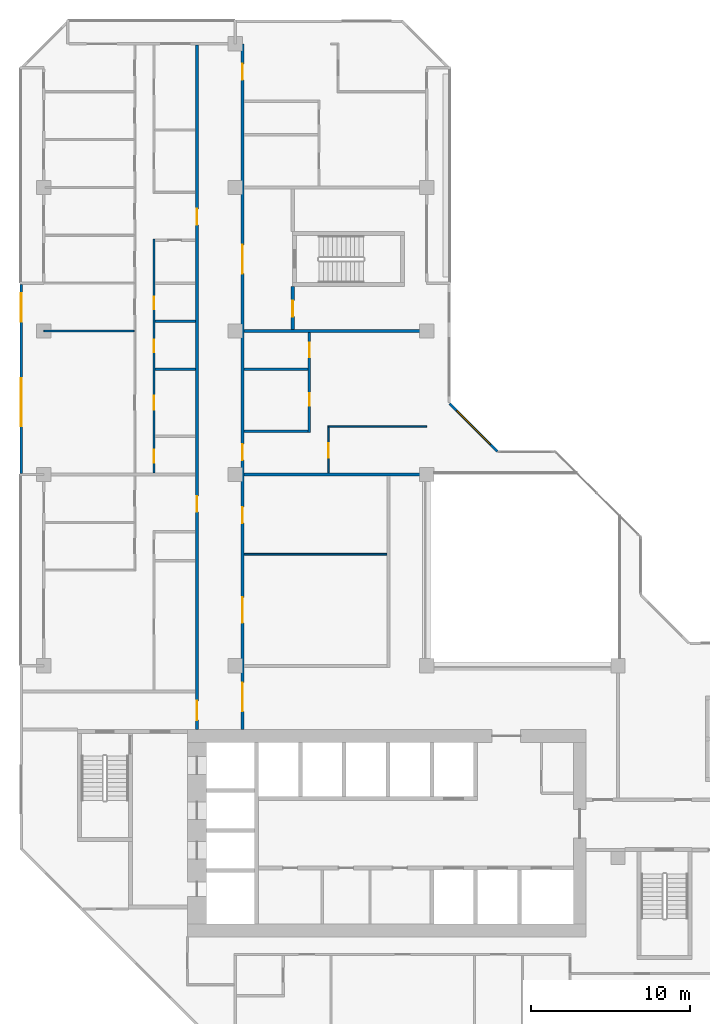
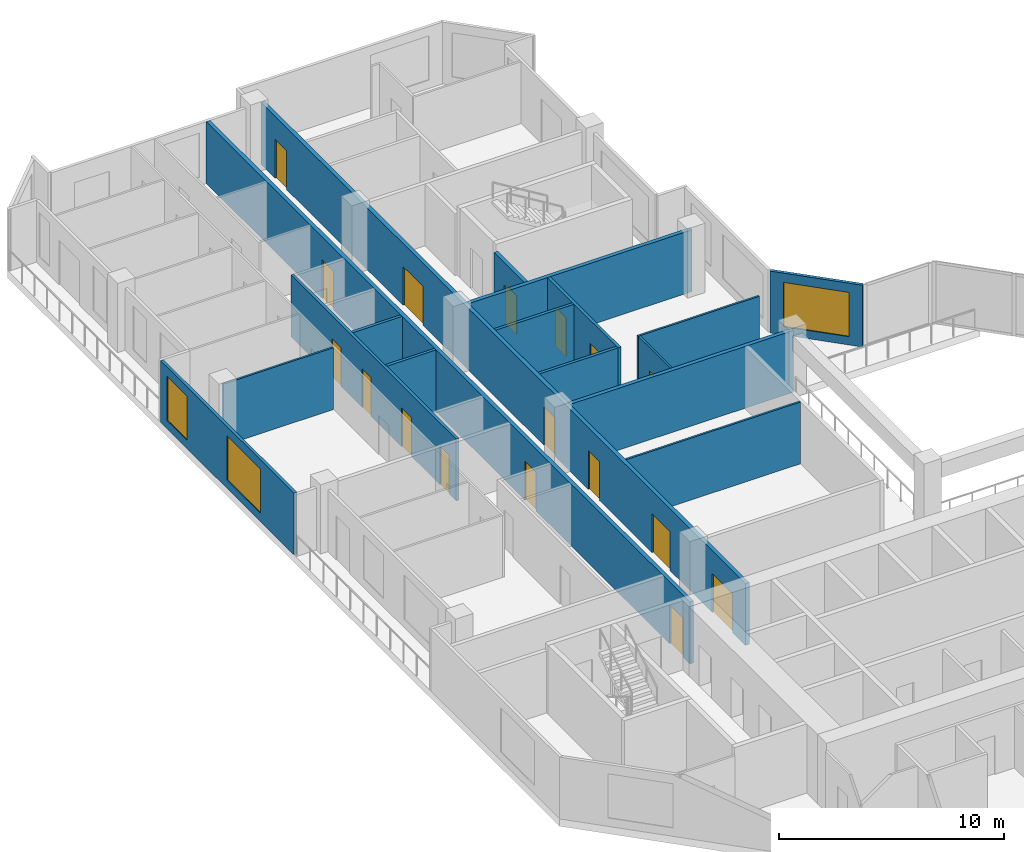
# One storey, part 9 of 15: 17 doors, 17 walls, 3 windows, 20 openings.
"""IFC4 building model written with IfcOpenShell, lengths in metres."""

import ifcopenshell
import ifcopenshell.guid

model = None  # the IFC model being written
_history = None  # IfcOwnerHistory: only IFC2X3 demands one
_inside = {}  # id of a spatial element -> (the spatial element, [elements in it])
_under = {}  # id of a project, library or spatial element -> (it, [spatial elements below it])
_declared = {}  # id of a project -> (the project, [libraries it declares])
_typed = {}  # id of a type object -> (the type object, [elements of that type])
_made_of = {}  # id of a material, layer set ... -> (it, [elements and type objects made of it])


def new_model(schema):
    """Start an empty IFC model of exactly this schema.

    Asked for "IFC4X3", IfcOpenShell would pick the latest addendum, in which some entities
    have other attributes; the version numbers below select the first issue.
    IFC2X3 requires an IfcOwnerHistory on every rooted entity: one is made here for all.
    """
    global model, _history
    if schema == "IFC4X3":
        model = ifcopenshell.file(schema_version=(4, 3, 0, 0))
    else:
        model = ifcopenshell.file(schema=schema)
    _inside.clear()
    _under.clear()
    _declared.clear()
    _typed.clear()
    _made_of.clear()
    _history = None
    if model.schema == "IFC2X3":
        org = make("IfcOrganization", Name="unknown")
        user = make(
            "IfcPersonAndOrganization",
            ThePerson=make("IfcPerson", FamilyName="unknown"),
            TheOrganization=org,
        )
        app = make(
            "IfcApplication",
            ApplicationDeveloper=org,
            Version="unknown",
            ApplicationFullName="unknown",
            ApplicationIdentifier="unknown",
        )
        _history = make(
            "IfcOwnerHistory",
            OwningUser=user,
            OwningApplication=app,
            ChangeAction="ADDED",
            CreationDate=0,
        )
    return model


def make(cls, **values):
    """One entity of the class cls with the attributes given. An attribute that is None is left unset."""
    return model.create_entity(
        cls, **{name: value for name, value in values.items() if value is not None}
    )


def rooted(cls, **values):
    """An entity with a GlobalId (a new one), such as an element, a storey or a relation."""
    return make(cls, GlobalId=ifcopenshell.guid.new(), OwnerHistory=_history, **values)


def si_unit(unit_type, name, prefix=None):
    """IfcSIUnit, for example si_unit("LENGTHUNIT", "METRE", prefix="MILLI")."""
    return make("IfcSIUnit", UnitType=unit_type, Prefix=prefix, Name=name)


def assignment(units):
    """IfcUnitAssignment: the units of a project."""
    return None if units is None else make("IfcUnitAssignment", Units=units)


def point(xyz):
    """IfcCartesianPoint."""
    return None if xyz is None else make("IfcCartesianPoint", Coordinates=xyz)


def direction(xyz):
    """IfcDirection."""
    return None if xyz is None else make("IfcDirection", DirectionRatios=xyz)


def frame(location, z_axis=None, x_axis=None):
    """IfcAxis2Placement3D, a coordinate frame: its origin and axes. An axis left out is left unset."""
    return make(
        "IfcAxis2Placement3D",
        Location=point(location),
        Axis=direction(z_axis),
        RefDirection=direction(x_axis),
    )


def frame_2d(location, x_axis=None):
    """IfcAxis2Placement2D, a coordinate frame in the plane: its origin and x axis."""
    return make(
        "IfcAxis2Placement2D", Location=point(location), RefDirection=direction(x_axis)
    )


def origin():
    """The frame at (0, 0, 0) with its axes left unset."""
    return frame((0.0, 0.0, 0.0))


def place(relative_to, where):
    """IfcLocalPlacement: puts the frame where relative to a parent placement (None: the world)."""
    return make(
        "IfcLocalPlacement", PlacementRelTo=relative_to, RelativePlacement=where
    )


def context(
    kind, dimensions, precision=None, world=None, true_north=None, identifier=None
):
    """IfcGeometricRepresentationContext, for example the 3D "Model" context."""
    return make(
        "IfcGeometricRepresentationContext",
        ContextIdentifier=identifier,
        ContextType=kind,
        CoordinateSpaceDimension=dimensions,
        Precision=precision,
        WorldCoordinateSystem=world,
        TrueNorth=true_north,
    )


def subcontext(parent, identifier, kind, view, scale=None):
    """IfcGeometricRepresentationSubContext, for example "Body" below "Model"."""
    return make(
        "IfcGeometricRepresentationSubContext",
        ContextIdentifier=identifier,
        ContextType=kind,
        ParentContext=parent,
        TargetScale=scale,
        TargetView=view,
    )


def project(units=None, contexts=None):
    """IfcProject with its units and contexts."""
    return rooted(
        "IfcProject",
        Name="project",
        RepresentationContexts=contexts,
        UnitsInContext=assignment(units),
    )


def spatial(cls, under=None, at=None, **own):
    """A site, building, storey or space (cls), placed at a placement, below another one or the project."""
    s = rooted(cls, ObjectPlacement=at, **own)
    if under is not None:
        _under.setdefault(under.id(), (under, []))[1].append(s)
    return s


def profile(cls, at=None, kind="AREA", **sizes):
    """A parametric profile (cls). Its sizes go by their IFC names, for example OverallWidth=200.0."""
    return make(cls, ProfileType=kind, Position=at, **sizes)


def rectangle(**sizes):
    """IfcRectangleProfileDef."""
    return profile("IfcRectangleProfileDef", **sizes)


def extrude(swept, where, along, depth):
    """IfcExtrudedAreaSolid: the profile swept, set in the frame where, extruded along a direction by depth."""
    return make(
        "IfcExtrudedAreaSolid",
        SweptArea=swept,
        Position=where,
        ExtrudedDirection=direction(along),
        Depth=depth,
    )


def shape(context_of_items, identifier, shape_type, items):
    """IfcShapeRepresentation: the items that make up one representation, for example the "Body"."""
    return make(
        "IfcShapeRepresentation",
        ContextOfItems=context_of_items,
        RepresentationIdentifier=identifier,
        RepresentationType=shape_type,
        Items=items,
    )


def material(Name=None, Category=None):
    """IfcMaterial."""
    return make("IfcMaterial", Name=Name, Category=Category)


def layer(
    of_material, thickness, ventilated=None, Name=None, Category=None, Priority=None
):
    """IfcMaterialLayer: one layer of a wall or slab, of a material (None: an air gap)."""
    return make(
        "IfcMaterialLayer",
        Material=of_material,
        LayerThickness=thickness,
        IsVentilated=ventilated,
        Name=Name,
        Category=Category,
        Priority=Priority,
    )


def layer_set(layers, Name=None):
    """IfcMaterialLayerSet."""
    return make("IfcMaterialLayerSet", MaterialLayers=layers, LayerSetName=Name)


def made_of(thing, what):
    """Note that an element or type object is made of a material, layer set ...; save() writes the relation."""
    if what is not None:
        _made_of.setdefault(what.id(), (what, []))[1].append(thing)
    return thing


def type_object(cls, material=None, **own):
    """A type object (cls), such as IfcWallType, which elements share."""
    return made_of(rooted(cls, **own), material)


def element(
    cls,
    number,
    at=None,
    inside=None,
    cuts=None,
    type_object=None,
    material=None,
    context=None,
    identifier="Body",
    shape_type=None,
    held_by="IfcProductDefinitionShape",
    body=None,
    shapes=None,
    **own,
):
    """One element of the class cls, such as IfcWall. Its Tag is "e" and its number.

    at: its placement. inside: the storey or other place that contains it. cuts: it is an
    opening in that element (IfcRelVoidsElement). A single representation is given by context,
    identifier, shape_type and body (its items); several are given by shapes. held_by: the class
    of the entity that holds the representations. save() writes the other relations.
    """
    e = rooted(cls, Tag="e%d" % number, ObjectPlacement=at, **own)
    if body is not None:
        shapes = [shape(context, identifier, shape_type, body)]
    if shapes is not None:
        e.Representation = make(held_by, Representations=shapes)
    if inside is not None:
        _inside.setdefault(inside.id(), (inside, []))[1].append(e)
    if cuts is not None:
        rooted(
            "IfcRelVoidsElement", RelatingBuildingElement=cuts, RelatedOpeningElement=e
        )
    if type_object is not None:
        _typed.setdefault(type_object.id(), (type_object, []))[1].append(e)
    return made_of(e, material)


def fill(opening, filler):
    """IfcRelFillsElement: the door or window that sits in an opening."""
    return rooted(
        "IfcRelFillsElement",
        RelatingOpeningElement=opening,
        RelatedBuildingElement=filler,
    )


def aggregate(whole, parts):
    """IfcRelAggregates: a whole, such as a stair, and the parts it consists of."""
    return rooted("IfcRelAggregates", RelatingObject=whole, RelatedObjects=parts)


def save(model, path):
    """Write the relations noted so far, then the file.

    IfcRelAggregates (storeys below a building ...), IfcRelContainedInSpatialStructure (elements
    in a storey), IfcRelDefinesByType, IfcRelAssociatesMaterial and IfcRelDeclares: one each for
    every whole, place, type object, material and project.
    """
    for whole, parts in _under.values():
        aggregate(whole, parts)
    for where, things in _inside.values():
        rooted(
            "IfcRelContainedInSpatialStructure",
            RelatedElements=things,
            RelatingStructure=where,
        )
    for kind, things in _typed.values():
        rooted("IfcRelDefinesByType", RelatedObjects=things, RelatingType=kind)
    for what, things in _made_of.values():
        rooted("IfcRelAssociatesMaterial", RelatedObjects=things, RelatingMaterial=what)
    for by, libraries in _declared.values():
        rooted("IfcRelDeclares", RelatingContext=by, RelatedDefinitions=libraries)
    model.write(path)


model = new_model("IFC4")

# Units and contexts
model_context = context("Model", 3, precision=1e-05, world=origin(), true_north=direction((0.0, 1.0)))
body_context = subcontext(model_context, "Body", "Model", "MODEL_VIEW")
ifc_project = project(units=[si_unit("LENGTHUNIT", "METRE"), si_unit("AREAUNIT", "SQUARE_METRE"), si_unit("VOLUMEUNIT", "CUBIC_METRE"), si_unit("PLANEANGLEUNIT", "RADIAN"), si_unit("MASSUNIT", "GRAM", prefix="KILO")], contexts=[model_context])

# Site, building, storey
site_placement = place(None, origin())
site = spatial("IfcSite", under=ifc_project, at=site_placement, CompositionType="ELEMENT")
building_placement = place(site_placement, origin())
building = spatial("IfcBuilding", under=site, at=building_placement, Name="Chenar Terraces", CompositionType="ELEMENT")
storey_placement = place(building_placement, frame((0.0, 0.0, 191.14990234375)))
storey = spatial("IfcBuildingStorey", under=building, at=storey_placement, Name="L44", CompositionType="ELEMENT", Elevation=191.14990234375)

# Wall, openings, doors
ifc_material_1 = material(Name="Gypsum board on steel studs with fire boards", Category="steel")
ifc_layer_1 = layer(ifc_material_1, 0.199951171875)
ifc_layer_set_1 = layer_set([ifc_layer_1], Name="Gypsum board on steel studs with fire boards")
wall_type_1 = type_object("IfcWallType", Name="Corridor wall 200", PredefinedType="PARTITIONING", material=ifc_layer_set_1)
wall_1_placement = place(storey_placement, frame((9.60009765625, 20.0, 0.0), z_axis=(0.0, 0.0, 1.0), x_axis=(0.0, 1.0, 0.0)))
wall_1 = element("IfcWall", 1, at=wall_1_placement, inside=storey, type_object=wall_type_1, Name="Partition L44-029", PredefinedType="PARTITIONING", context=body_context, shape_type="SweptSolid", body=[
    extrude(rectangle(XDim=42.926025390625, YDim=0.199951171875, at=frame_2d((21.462890625, 0.0))), origin(), (0.0, 0.0, 1.0), 3.35009765625),
])
opening_1_placement = place(wall_1_placement, frame((31.64990234375, 0.0, 0.0)))
opening_1 = element("IfcOpeningElement", 2, at=opening_1_placement, cuts=wall_1, Name="Opening DL44-30", PredefinedType="OPENING", context=body_context, shape_type="SweptSolid", body=[
    extrude(rectangle(XDim=1.0, YDim=2.10009765625, at=frame_2d((0.5, 1.050048828125))), frame((0.0, 0.10986328125, 0.0), z_axis=(0.0, -1.0, 0.0), x_axis=(1.0, 0.0, 0.0)), (0.0, 0.0, 1.0), 0.219970703125),
])
opening_2_placement = place(wall_1_placement, frame((0.60009765625, 0.0, 0.0)))
opening_2 = element("IfcOpeningElement", 3, at=opening_2_placement, cuts=wall_1, Name="Opening DL44-40", PredefinedType="OPENING", context=body_context, shape_type="SweptSolid", body=[
    extrude(rectangle(XDim=1.199951171875, YDim=2.10009765625, at=frame_2d((0.60009765625, 1.050048828125))), frame((0.0, 0.10986328125, 0.0), z_axis=(0.0, -1.0, 0.0), x_axis=(1.0, 0.0, 0.0)), (0.0, 0.0, 1.0), 0.219970703125),
])
opening_3_placement = place(wall_1_placement, frame((13.64990234375, 0.0, 0.0)))
opening_3 = element("IfcOpeningElement", 4, at=opening_3_placement, cuts=wall_1, Name="Opening DL44-61", PredefinedType="OPENING", context=body_context, shape_type="SweptSolid", body=[
    extrude(rectangle(XDim=1.0, YDim=2.10009765625, at=frame_2d((0.5, 1.050048828125))), frame((0.0, 0.10986328125, 0.0), z_axis=(0.0, -1.0, 0.0), x_axis=(1.0, 0.0, 0.0)), (0.0, 0.0, 1.0), 0.219970703125),
])
ifc_material_2 = material(Name="Steel-framed fire-resisting door leaf", Category="steel")
door_type_1 = type_object("IfcDoorType", Name="Fire door FD30S 1000 x 2100", OperationType="SINGLE_SWING_LEFT", PredefinedType="DOOR", material=ifc_material_2)
door_1_placement = place(opening_1_placement, origin())
door_1 = element("IfcDoor", 5, at=door_1_placement, inside=storey, type_object=door_type_1, Name="Door DL44-30", OperationType="SINGLE_SWING_LEFT", OverallHeight=2.10009765625, OverallWidth=1.0, PredefinedType="DOOR", context=body_context, shape_type="SweptSolid", body=[
    extrude(rectangle(XDim=1.0, YDim=2.10009765625, at=frame_2d((0.5, 1.050048828125))), frame((0.0, 0.02490234375, 0.0), z_axis=(0.0, -1.0, 0.0), x_axis=(1.0, 0.0, 0.0)), (0.0, 0.0, 1.0), 0.050048828125),
])
fill(opening_1, door_1)
door_2_placement = place(opening_3_placement, origin())
door_2 = element("IfcDoor", 6, at=door_2_placement, inside=storey, type_object=door_type_1, Name="Door DL44-61", OperationType="SINGLE_SWING_LEFT", OverallHeight=2.10009765625, OverallWidth=1.0, PredefinedType="DOOR", context=body_context, shape_type="SweptSolid", body=[
    extrude(rectangle(XDim=1.0, YDim=2.10009765625, at=frame_2d((0.5, 1.050048828125))), frame((0.0, 0.02490234375, 0.0), z_axis=(0.0, -1.0, 0.0), x_axis=(1.0, 0.0, 0.0)), (0.0, 0.0, 1.0), 0.050048828125),
])
fill(opening_3, door_2)
ifc_material_3 = material(Name="Steel-framed fire-resisting door leaf", Category="steel")
door_type_2 = type_object("IfcDoorType", Name="Fire door FD30S 1200 x 2100", OperationType="SINGLE_SWING_LEFT", PredefinedType="DOOR", material=ifc_material_3)
door_3_placement = place(opening_2_placement, origin())
door_3 = element("IfcDoor", 7, at=door_3_placement, inside=storey, type_object=door_type_2, Name="Door DL44-40", OperationType="SINGLE_SWING_RIGHT", OverallHeight=2.10009765625, OverallWidth=1.199951171875, PredefinedType="DOOR", context=body_context, shape_type="SweptSolid", body=[
    extrude(rectangle(XDim=1.199951171875, YDim=2.10009765625, at=frame_2d((0.60009765625, 1.050048828125))), frame((0.0, 0.02490234375, 0.0), z_axis=(0.0, -1.0, 0.0), x_axis=(1.0, 0.0, 0.0)), (0.0, 0.0, 1.0), 0.050048828125),
])
fill(opening_2, door_3)

wall_2_placement = place(storey_placement, frame((12.449951171875, 20.0, 0.0), z_axis=(0.0, 0.0, 1.0), x_axis=(0.0, 1.0, 0.0)))
wall_2 = element("IfcWall", 8, at=wall_2_placement, inside=storey, type_object=wall_type_1, Name="Partition L44-033", PredefinedType="PARTITIONING", context=body_context, shape_type="SweptSolid", body=[
    extrude(rectangle(XDim=43.0, YDim=0.199951171875, at=frame_2d((21.5, 0.0))), origin(), (0.0, 0.0, 1.0), 3.35009765625),
])
opening_4_placement = place(wall_2_placement, frame((6.699951171875, 0.0, 0.0)))
opening_4 = element("IfcOpeningElement", 9, at=opening_4_placement, cuts=wall_2, Name="Opening DL44-1", PredefinedType="OPENING", context=body_context, shape_type="SweptSolid", body=[
    extrude(rectangle(XDim=1.60009765625, YDim=2.10009765625, at=frame_2d((0.800048828125, 1.050048828125))), frame((0.0, 0.10986328125, 0.0), z_axis=(0.0, -1.0, 0.0), x_axis=(1.0, 0.0, 0.0)), (0.0, 0.0, 1.0), 0.219970703125),
])
opening_5_placement = place(wall_2_placement, frame((12.949951171875, 0.0, 0.0)))
opening_5 = element("IfcOpeningElement", 10, at=opening_5_placement, cuts=wall_2, Name="Opening DL44-2", PredefinedType="OPENING", context=body_context, shape_type="SweptSolid", body=[
    extrude(rectangle(XDim=1.0, YDim=2.10009765625, at=frame_2d((0.5, 1.050048828125))), frame((0.0, 0.10986328125, 0.0), z_axis=(0.0, -1.0, 0.0), x_axis=(1.0, 0.0, 0.0)), (0.0, 0.0, 1.0), 0.219970703125),
])
opening_6_placement = place(wall_2_placement, frame((16.89990234375, 0.0, 0.0)))
opening_6 = element("IfcOpeningElement", 11, at=opening_6_placement, cuts=wall_2, Name="Opening DL44-18", PredefinedType="OPENING", context=body_context, shape_type="SweptSolid", body=[
    extrude(rectangle(XDim=1.0, YDim=2.10009765625, at=frame_2d((0.5, 1.050048828125))), frame((0.0, 0.10986328125, 0.0), z_axis=(0.0, -1.0, 0.0), x_axis=(1.0, 0.0, 0.0)), (0.0, 0.0, 1.0), 0.219970703125),
])
opening_7_placement = place(wall_2_placement, frame((40.75, 0.0, 0.0)))
opening_7 = element("IfcOpeningElement", 12, at=opening_7_placement, cuts=wall_2, Name="Opening DL44-22", PredefinedType="OPENING", context=body_context, shape_type="SweptSolid", body=[
    extrude(rectangle(XDim=1.0, YDim=2.10009765625, at=frame_2d((0.5, 1.050048828125))), frame((0.0, 0.10986328125, 0.0), z_axis=(0.0, -1.0, 0.0), x_axis=(1.0, 0.0, 0.0)), (0.0, 0.0, 1.0), 0.219970703125),
])
opening_8_placement = place(wall_2_placement, frame((1.14990234375, 0.0, 0.0)))
opening_8 = element("IfcOpeningElement", 13, at=opening_8_placement, cuts=wall_2, Name="Opening DL44-39", PredefinedType="OPENING", context=body_context, shape_type="SweptSolid", body=[
    extrude(rectangle(XDim=1.800048828125, YDim=2.10009765625, at=frame_2d((0.89990234375, 1.050048828125))), frame((0.0, 0.10986328125, 0.0), z_axis=(0.0, -1.0, 0.0), x_axis=(1.0, 0.0, 0.0)), (0.0, 0.0, 1.0), 0.219970703125),
])
opening_9_placement = place(wall_2_placement, frame((28.60009765625, 0.0, 0.0)))
opening_9 = element("IfcOpeningElement", 14, at=opening_9_placement, cuts=wall_2, Name="Opening DL44-41", PredefinedType="OPENING", context=body_context, shape_type="SweptSolid", body=[
    extrude(rectangle(XDim=1.800048828125, YDim=2.10009765625, at=frame_2d((0.89990234375, 1.050048828125))), frame((0.0, 0.10986328125, 0.0), z_axis=(0.0, -1.0, 0.0), x_axis=(1.0, 0.0, 0.0)), (0.0, 0.0, 1.0), 0.219970703125),
])
ifc_material_4 = material(Name="Steel-framed fire-resisting door leaf", Category="steel")
door_type_3 = type_object("IfcDoorType", Name="Fire door FD60 1000 x 2100", OperationType="SINGLE_SWING_LEFT", PredefinedType="DOOR", material=ifc_material_4)
door_4_placement = place(opening_5_placement, frame((1.0, 0.0, 0.0), z_axis=(0.0, 0.0, 1.0), x_axis=(-1.0, 0.0, 0.0)))
door_4 = element("IfcDoor", 15, at=door_4_placement, inside=storey, type_object=door_type_3, Name="Door DL44-2", OperationType="SINGLE_SWING_LEFT", OverallHeight=2.10009765625, OverallWidth=1.0, PredefinedType="DOOR", context=body_context, shape_type="SweptSolid", body=[
    extrude(rectangle(XDim=1.0, YDim=2.10009765625, at=frame_2d((0.5, 1.050048828125))), frame((0.0, 0.02490234375, 0.0), z_axis=(0.0, -1.0, 0.0), x_axis=(1.0, 0.0, 0.0)), (0.0, 0.0, 1.0), 0.050048828125),
])
fill(opening_5, door_4)
door_5_placement = place(opening_6_placement, frame((1.0, 0.0, 0.0), z_axis=(0.0, 0.0, 1.0), x_axis=(-1.0, 0.0, 0.0)))
door_5 = element("IfcDoor", 16, at=door_5_placement, inside=storey, type_object=door_type_3, Name="Door DL44-18", OperationType="SINGLE_SWING_LEFT", OverallHeight=2.10009765625, OverallWidth=1.0, PredefinedType="DOOR", context=body_context, shape_type="SweptSolid", body=[
    extrude(rectangle(XDim=1.0, YDim=2.10009765625, at=frame_2d((0.5, 1.050048828125))), frame((0.0, 0.02490234375, 0.0), z_axis=(0.0, -1.0, 0.0), x_axis=(1.0, 0.0, 0.0)), (0.0, 0.0, 1.0), 0.050048828125),
])
fill(opening_6, door_5)
door_6_placement = place(opening_7_placement, frame((1.0, 0.0, 0.0), z_axis=(0.0, 0.0, 1.0), x_axis=(-1.0, 0.0, 0.0)))
door_6 = element("IfcDoor", 17, at=door_6_placement, inside=storey, type_object=door_type_3, Name="Door DL44-22", OperationType="SINGLE_SWING_RIGHT", OverallHeight=2.10009765625, OverallWidth=1.0, PredefinedType="DOOR", context=body_context, shape_type="SweptSolid", body=[
    extrude(rectangle(XDim=1.0, YDim=2.10009765625, at=frame_2d((0.5, 1.050048828125))), frame((0.0, 0.02490234375, 0.0), z_axis=(0.0, -1.0, 0.0), x_axis=(1.0, 0.0, 0.0)), (0.0, 0.0, 1.0), 0.050048828125),
])
fill(opening_7, door_6)
ifc_material_5 = material(Name="Steel-framed fire-resisting door leaf", Category="steel")
door_type_4 = type_object("IfcDoorType", Name="Fire double door FD60 1600 x 2100", OperationType="DOUBLE_DOOR_SINGLE_SWING", PredefinedType="DOOR", material=ifc_material_5)
door_7_placement = place(opening_4_placement, frame((1.60009765625, 0.0, 0.0), z_axis=(0.0, 0.0, 1.0), x_axis=(-1.0, 0.0, 0.0)))
door_7 = element("IfcDoor", 18, at=door_7_placement, inside=storey, type_object=door_type_4, Name="Door DL44-1", OperationType="DOUBLE_DOOR_SINGLE_SWING", OverallHeight=2.10009765625, OverallWidth=1.60009765625, PredefinedType="DOOR", context=body_context, shape_type="SweptSolid", body=[
    extrude(rectangle(XDim=1.60009765625, YDim=2.10009765625, at=frame_2d((0.800048828125, 1.050048828125))), frame((0.0, 0.02490234375, 0.0), z_axis=(0.0, -1.0, 0.0), x_axis=(1.0, 0.0, 0.0)), (0.0, 0.0, 1.0), 0.050048828125),
])
fill(opening_4, door_7)
ifc_material_6 = material(Name="Steel-framed fire-resisting door leaf", Category="steel")
door_type_5 = type_object("IfcDoorType", Name="Fire double door FD60 1800 x 2100", OperationType="DOUBLE_DOOR_SINGLE_SWING", PredefinedType="DOOR", material=ifc_material_6)
door_8_placement = place(opening_8_placement, frame((1.800048828125, 0.0, 0.0), z_axis=(0.0, 0.0, 1.0), x_axis=(-1.0, 0.0, 0.0)))
door_8 = element("IfcDoor", 19, at=door_8_placement, inside=storey, type_object=door_type_5, Name="Door DL44-39", OperationType="DOUBLE_DOOR_SINGLE_SWING", OverallHeight=2.10009765625, OverallWidth=1.800048828125, PredefinedType="DOOR", context=body_context, shape_type="SweptSolid", body=[
    extrude(rectangle(XDim=1.800048828125, YDim=2.10009765625, at=frame_2d((0.89990234375, 1.050048828125))), frame((0.0, 0.02490234375, 0.0), z_axis=(0.0, -1.0, 0.0), x_axis=(1.0, 0.0, 0.0)), (0.0, 0.0, 1.0), 0.050048828125),
])
fill(opening_8, door_8)
door_9_placement = place(opening_9_placement, frame((1.800048828125, 0.0, 0.0), z_axis=(0.0, 0.0, 1.0), x_axis=(-1.0, 0.0, 0.0)))
door_9 = element("IfcDoor", 20, at=door_9_placement, inside=storey, type_object=door_type_5, Name="Door DL44-41", OperationType="DOUBLE_DOOR_SINGLE_SWING", OverallHeight=2.10009765625, OverallWidth=1.800048828125, PredefinedType="DOOR", context=body_context, shape_type="SweptSolid", body=[
    extrude(rectangle(XDim=1.800048828125, YDim=2.10009765625, at=frame_2d((0.89990234375, 1.050048828125))), frame((0.0, 0.02490234375, 0.0), z_axis=(0.0, -1.0, 0.0), x_axis=(1.0, 0.0, 0.0)), (0.0, 0.0, 1.0), 0.050048828125),
])
fill(opening_9, door_9)

# Wall, opening, door
wall_3_placement = place(storey_placement, frame((15.60009765625, 45.10009765625, 0.0), z_axis=(0.0, 0.0, 1.0), x_axis=(0.0, 1.0, 0.0)))
wall_3 = element("IfcWall", 21, at=wall_3_placement, inside=storey, type_object=wall_type_1, Name="Partition L44-044", PredefinedType="PARTITIONING", context=body_context, shape_type="SweptSolid", body=[
    extrude(rectangle(XDim=2.6748046875, YDim=0.199951171875, at=frame_2d((1.33740234375, 0.0))), origin(), (0.0, 0.0, 1.0), 3.35009765625),
])
opening_10_placement = place(wall_3_placement, frame((0.800048828125, 0.0, 0.0)))
opening_10 = element("IfcOpeningElement", 22, at=opening_10_placement, cuts=wall_3, Name="Opening DL44-43", PredefinedType="OPENING", context=body_context, shape_type="SweptSolid", body=[
    extrude(rectangle(XDim=1.0, YDim=2.10009765625, at=frame_2d((0.5, 1.050048828125))), frame((0.0, 0.10986328125, 0.0), z_axis=(0.0, -1.0, 0.0), x_axis=(1.0, 0.0, 0.0)), (0.0, 0.0, 1.0), 0.219970703125),
])
door_10_placement = place(opening_10_placement, frame((1.0, 0.0, 0.0), z_axis=(0.0, 0.0, 1.0), x_axis=(-1.0, 0.0, 0.0)))
door_10 = element("IfcDoor", 23, at=door_10_placement, inside=storey, type_object=door_type_3, Name="Door DL44-43", OperationType="SINGLE_SWING_RIGHT", OverallHeight=2.10009765625, OverallWidth=1.0, PredefinedType="DOOR", context=body_context, shape_type="SweptSolid", body=[
    extrude(rectangle(XDim=1.0, YDim=2.10009765625, at=frame_2d((0.5, 1.050048828125))), frame((0.0, 0.02490234375, 0.0), z_axis=(0.0, -1.0, 0.0), x_axis=(1.0, 0.0, 0.0)), (0.0, 0.0, 1.0), 0.050048828125),
])
fill(opening_10, door_10)

# Wall, openings, windows
ifc_material_7 = material(Name="Aluminium framed glazing", Category="aluminium")
ifc_layer_2 = layer(ifc_material_7, 0.14990234375)
ifc_layer_set_2 = layer_set([ifc_layer_2], Name="Aluminium framed glazing")
wall_type_2 = type_object("IfcWallType", Name="Glazed flush facade wall 150", PredefinedType="SOLIDWALL", material=ifc_layer_set_2)
wall_4_placement = place(storey_placement, frame((-1.425048828125, 47.925048828125, 0.0), z_axis=(0.0, 0.0, 1.0), x_axis=(0.0, -1.0, 0.0)))
wall_4 = element("IfcWall", 24, at=wall_4_placement, inside=storey, type_object=wall_type_2, Name="Glazed flush facade wall", PredefinedType="SOLIDWALL", context=body_context, shape_type="SweptSolid", body=[
    extrude(rectangle(XDim=11.85009765625, YDim=0.14990234375, at=frame_2d((5.925048828125, 0.0))), origin(), (0.0, 0.0, 1.0), 3.35009765625),
])
opening_11_placement = place(wall_4_placement, frame((0.5625, 0.0, 0.449951171875)))
opening_11 = element("IfcOpeningElement", 25, at=opening_11_placement, cuts=wall_4, Name="Opening W180x240", PredefinedType="OPENING", context=body_context, shape_type="SweptSolid", body=[
    extrude(rectangle(XDim=1.800048828125, YDim=2.39990234375, at=frame_2d((0.89990234375, 1.199951171875))), frame((0.0, 0.0849609375, 0.0), z_axis=(0.0, -1.0, 0.0), x_axis=(1.0, 0.0, 0.0)), (0.0, 0.0, 1.0), 0.169921875),
])
opening_12_placement = place(wall_4_placement, frame((5.887451171875, 0.0, 0.449951171875)))
opening_12 = element("IfcOpeningElement", 26, at=opening_12_placement, cuts=wall_4, Name="Opening W300x240", PredefinedType="OPENING", context=body_context, shape_type="SweptSolid", body=[
    extrude(rectangle(XDim=3.0, YDim=2.39990234375, at=frame_2d((1.5, 1.199951171875))), frame((0.0, 0.0849609375, 0.0), z_axis=(0.0, -1.0, 0.0), x_axis=(1.0, 0.0, 0.0)), (0.0, 0.0, 1.0), 0.169921875),
])
ifc_material_8 = material(Name="Low emissivity double glazing, aluminium frame", Category="aluminium")
window_type_1 = type_object("IfcWindowType", Name="Fixed light 1800 x 2400", PartitioningType="SINGLE_PANEL", PredefinedType="WINDOW", material=ifc_material_8)
window_1_placement = place(opening_11_placement, origin())
window_1 = element("IfcWindow", 27, at=window_1_placement, inside=storey, type_object=window_type_1, Name="Window", OverallHeight=2.39990234375, OverallWidth=1.800048828125, PartitioningType="SINGLE_PANEL", PredefinedType="WINDOW", context=body_context, shape_type="SweptSolid", body=[
    extrude(rectangle(XDim=1.800048828125, YDim=2.39990234375, at=frame_2d((0.89990234375, 1.199951171875))), frame((0.0, 0.030029296875, 0.0), z_axis=(0.0, -1.0, 0.0), x_axis=(1.0, 0.0, 0.0)), (0.0, 0.0, 1.0), 0.06005859375),
])
fill(opening_11, window_1)
ifc_material_9 = material(Name="Low emissivity double glazing, aluminium frame", Category="aluminium")
window_type_2 = type_object("IfcWindowType", Name="Fixed light 3000 x 2400", PartitioningType="SINGLE_PANEL", PredefinedType="WINDOW", material=ifc_material_9)
window_2_placement = place(opening_12_placement, origin())
window_2 = element("IfcWindow", 28, at=window_2_placement, inside=storey, type_object=window_type_2, Name="Window", OverallHeight=2.39990234375, OverallWidth=3.0, PartitioningType="SINGLE_PANEL", PredefinedType="WINDOW", context=body_context, shape_type="SweptSolid", body=[
    extrude(rectangle(XDim=3.0, YDim=2.39990234375, at=frame_2d((1.5, 1.199951171875))), frame((0.0, 0.030029296875, 0.0), z_axis=(0.0, -1.0, 0.0), x_axis=(1.0, 0.0, 0.0)), (0.0, 0.0, 1.0), 0.06005859375),
])
fill(opening_12, window_2)

# Walls
ifc_material_10 = material(Name="Gypsum board on steel studs", Category="steel")
ifc_layer_3 = layer(ifc_material_10, 0.10009765625)
ifc_layer_set_3 = layer_set([ifc_layer_3], Name="Gypsum board on steel studs")
wall_type_3 = type_object("IfcWallType", Name="Gypsum partition 100", PredefinedType="PARTITIONING", material=ifc_layer_set_3)
wall_5_placement = place(storey_placement, frame((0.0, 45.0, 0.0), z_axis=(0.0, 0.0, 1.0), x_axis=(1.0, 0.0, 0.0)))
element("IfcWall", 29, at=wall_5_placement, inside=storey, type_object=wall_type_3, Name="Partition L44-004", PredefinedType="PARTITIONING", context=body_context, shape_type="SweptSolid", body=[
    extrude(rectangle(XDim=5.64990234375, YDim=0.10009765625, at=frame_2d((2.824951171875, 0.0))), origin(), (0.0, 0.0, 1.0), 3.35009765625),
])
wall_6_placement = place(storey_placement, frame((12.550048828125, 31.0, 0.0), z_axis=(0.0, 0.0, 1.0), x_axis=(1.0, 0.0, 0.0)))
element("IfcWall", 30, at=wall_6_placement, inside=storey, type_object=wall_type_3, Name="Partition L44-035", PredefinedType="PARTITIONING", context=body_context, shape_type="SweptSolid", body=[
    extrude(rectangle(XDim=8.949951171875, YDim=0.10009765625, at=frame_2d((4.47509765625, 0.0))), origin(), (0.0, 0.0, 1.0), 3.35009765625),
])
wall_7_placement = place(storey_placement, frame((17.800048828125, 39.0, 0.0), z_axis=(0.0, 0.0, 1.0), x_axis=(1.0, 0.0, 0.0)))
element("IfcWall", 31, at=wall_7_placement, inside=storey, type_object=wall_type_3, Name="Partition L44-048", PredefinedType="PARTITIONING", context=body_context, shape_type="SweptSolid", body=[
    extrude(rectangle(XDim=6.199951171875, YDim=0.10009765625, at=frame_2d((3.10009765625, 0.0))), origin(), (0.0, 0.0, 1.0), 3.35009765625),
])

# Wall, opening, door
wall_8_placement = place(storey_placement, frame((17.85009765625, 36.10009765625, 0.0), z_axis=(0.0, 0.0, 1.0), x_axis=(0.0, 1.0, 0.0)))
wall_8 = element("IfcWall", 32, at=wall_8_placement, inside=storey, type_object=wall_type_3, Name="Partition L44-049", PredefinedType="PARTITIONING", context=body_context, shape_type="SweptSolid", body=[
    extrude(rectangle(XDim=2.849853515625, YDim=0.10009765625, at=frame_2d((1.4248046875, 0.0))), origin(), (0.0, 0.0, 1.0), 3.35009765625),
])
opening_13_placement = place(wall_8_placement, frame((0.949951171875, 0.0, 0.0)))
opening_13 = element("IfcOpeningElement", 33, at=opening_13_placement, cuts=wall_8, Name="Opening DL44-16", PredefinedType="OPENING", context=body_context, shape_type="SweptSolid", body=[
    extrude(rectangle(XDim=0.89990234375, YDim=2.10009765625, at=frame_2d((0.449951171875, 1.050048828125))), frame((0.0, 0.06005859375, 0.0), z_axis=(0.0, -1.0, 0.0), x_axis=(1.0, 0.0, 0.0)), (0.0, 0.0, 1.0), 0.1201171875),
])
ifc_material_11 = material(Name="Veneered timber door leaf", Category="wood")
door_type_6 = type_object("IfcDoorType", Name="Door 900 x 2100", OperationType="SINGLE_SWING_LEFT", PredefinedType="DOOR", material=ifc_material_11)
door_11_placement = place(opening_13_placement, frame((0.89990234375, 0.0, 0.0), z_axis=(0.0, 0.0, 1.0), x_axis=(-1.0, 0.0, 0.0)))
door_11 = element("IfcDoor", 34, at=door_11_placement, inside=storey, type_object=door_type_6, Name="Door DL44-16", OperationType="SINGLE_SWING_LEFT", OverallHeight=2.10009765625, OverallWidth=0.89990234375, PredefinedType="DOOR", context=body_context, shape_type="SweptSolid", body=[
    extrude(rectangle(XDim=0.89990234375, YDim=2.10009765625, at=frame_2d((0.449951171875, 1.050048828125))), frame((0.0, 0.02490234375, 0.0), z_axis=(0.0, -1.0, 0.0), x_axis=(1.0, 0.0, 0.0)), (0.0, 0.0, 1.0), 0.050048828125),
])
fill(opening_13, door_11)

# Wall, opening, window
ifc_material_12 = material(Name="Terracotta cladding on insulated backing", Category="masonry")
ifc_layer_4 = layer(ifc_material_12, 0.14990234375)
ifc_layer_set_4 = layer_set([ifc_layer_4], Name="Terracotta cladding on insulated backing")
wall_type_4 = type_object("IfcWallType", Name="Terracotta rainscreen wall 150", PredefinedType="SOLIDWALL", material=ifc_layer_set_4)
wall_9_placement = place(storey_placement, frame((28.447021484375, 37.447021484375, 0.0), z_axis=(0.0, 0.0, 1.0), x_axis=(-0.707106781187, 0.707106781187, 0.0)))
wall_9 = element("IfcWall", 35, at=wall_9_placement, inside=storey, type_object=wall_type_4, Name="Terracotta rainscreen wall", PredefinedType="SOLIDWALL", context=body_context, shape_type="SweptSolid", body=[
    extrude(rectangle(XDim=4.24267578125, YDim=0.14990234375, at=frame_2d((2.121337890625, 0.0))), origin(), (0.0, 0.0, 1.0), 3.35009765625),
])
opening_14_placement = place(wall_9_placement, frame((0.621337890625, 0.0, 0.449951171875)))
opening_14 = element("IfcOpeningElement", 36, at=opening_14_placement, cuts=wall_9, Name="Opening W300x240", PredefinedType="OPENING", context=body_context, shape_type="SweptSolid", body=[
    extrude(rectangle(XDim=3.0, YDim=2.39990234375, at=frame_2d((1.5, 1.199951171875))), frame((0.0, 0.0849609375, 0.0), z_axis=(0.0, -1.0, 0.0), x_axis=(1.0, 0.0, 0.0)), (0.0, 0.0, 1.0), 0.169921875),
])
window_3_placement = place(opening_14_placement, origin())
window_3 = element("IfcWindow", 37, at=window_3_placement, inside=storey, type_object=window_type_2, Name="Window", OverallHeight=2.39990234375, OverallWidth=3.0, PartitioningType="SINGLE_PANEL", PredefinedType="WINDOW", context=body_context, shape_type="SweptSolid", body=[
    extrude(rectangle(XDim=3.0, YDim=2.39990234375, at=frame_2d((1.5, 1.199951171875))), frame((0.0, 0.030029296875, 0.0), z_axis=(0.0, -1.0, 0.0), x_axis=(1.0, 0.0, 0.0)), (0.0, 0.0, 1.0), 0.06005859375),
])
fill(opening_14, window_3)

# Walls
ifc_material_13 = material(Name="Twin gypsum board on steel studs with mineral wool", Category="steel")
ifc_layer_5 = layer(ifc_material_13, 0.199951171875)
ifc_layer_set_5 = layer_set([ifc_layer_5], Name="Twin gypsum board on steel studs with mineral wool")
wall_type_5 = type_object("IfcWallType", Name="Unit demising wall 200", PredefinedType="PARTITIONING", material=ifc_layer_set_5)
for number, where, z_axis, x_axis, name in (
    (38, (12.550048828125, 36.0, 0.0), (0.0, 0.0, 1.0), (1.0, 0.0, 0.0), "Partition L44-036"),
    (39, (12.550048828125, 45.0, 0.0), (0.0, 0.0, 1.0), (1.0, 0.0, 0.0), "Partition L44-039"),
):
    element("IfcWall", number, at=place(storey_placement, frame(where, z_axis=z_axis, x_axis=x_axis)), inside=storey, type_object=wall_type_5, Name=name, PredefinedType="PARTITIONING", context=body_context, shape_type="SweptSolid", body=[
        extrude(rectangle(XDim=11.449951171875, YDim=0.199951171875, at=frame_2d((5.72509765625, 0.0))), origin(), (0.0, 0.0, 1.0), 3.35009765625),
    ])

# Wall, openings, doors
ifc_material_14 = material(Name="Moisture-resistant gypsum board on steel studs", Category="steel")
ifc_layer_6 = layer(ifc_material_14, 0.14990234375)
ifc_layer_set_6 = layer_set([ifc_layer_6], Name="Moisture-resistant gypsum board on steel studs")
wall_type_6 = type_object("IfcWallType", Name="Wet-room partition 150", PredefinedType="PARTITIONING", material=ifc_layer_set_6)
wall_10_placement = place(storey_placement, frame((6.89990234375, 36.10009765625, 0.0), z_axis=(0.0, 0.0, 1.0), x_axis=(0.0, 1.0, 0.0)))
wall_10 = element("IfcWall", 40, at=wall_10_placement, inside=storey, type_object=wall_type_6, Name="Partition L44-016", PredefinedType="PARTITIONING", context=body_context, shape_type="SweptSolid", body=[
    extrude(rectangle(XDim=14.6748046875, YDim=0.14990234375, at=frame_2d((7.33740234375, 0.0))), origin(), (0.0, 0.0, 1.0), 3.35009765625),
])
opening_15_placement = place(wall_10_placement, frame((7.550048828125, 0.0, 0.0)))
opening_15 = element("IfcOpeningElement", 41, at=opening_15_placement, cuts=wall_10, Name="Opening DL44-23", PredefinedType="OPENING", context=body_context, shape_type="SweptSolid", body=[
    extrude(rectangle(XDim=0.800048828125, YDim=2.10009765625, at=frame_2d((0.39990234375, 1.050048828125))), frame((0.0, 0.0849609375, 0.0), z_axis=(0.0, -1.0, 0.0), x_axis=(1.0, 0.0, 0.0)), (0.0, 0.0, 1.0), 0.169921875),
])
opening_16_placement = place(wall_10_placement, frame((0.64990234375, 0.0, 0.0)))
opening_16 = element("IfcOpeningElement", 42, at=opening_16_placement, cuts=wall_10, Name="Opening DL44-32", PredefinedType="OPENING", context=body_context, shape_type="SweptSolid", body=[
    extrude(rectangle(XDim=0.800048828125, YDim=2.10009765625, at=frame_2d((0.39990234375, 1.050048828125))), frame((0.0, 0.0849609375, 0.0), z_axis=(0.0, -1.0, 0.0), x_axis=(1.0, 0.0, 0.0)), (0.0, 0.0, 1.0), 0.169921875),
])
opening_17_placement = place(wall_10_placement, frame((10.25, 0.0, 0.0)))
opening_17 = element("IfcOpeningElement", 43, at=opening_17_placement, cuts=wall_10, Name="Opening DL44-33", PredefinedType="OPENING", context=body_context, shape_type="SweptSolid", body=[
    extrude(rectangle(XDim=0.800048828125, YDim=2.10009765625, at=frame_2d((0.39990234375, 1.050048828125))), frame((0.0, 0.0849609375, 0.0), z_axis=(0.0, -1.0, 0.0), x_axis=(1.0, 0.0, 0.0)), (0.0, 0.0, 1.0), 0.169921875),
])
opening_18_placement = place(wall_10_placement, frame((3.949951171875, 0.0, 0.0)))
opening_18 = element("IfcOpeningElement", 44, at=opening_18_placement, cuts=wall_10, Name="Opening DL44-35", PredefinedType="OPENING", context=body_context, shape_type="SweptSolid", body=[
    extrude(rectangle(XDim=0.89990234375, YDim=2.10009765625, at=frame_2d((0.449951171875, 1.050048828125))), frame((0.0, 0.0849609375, 0.0), z_axis=(0.0, -1.0, 0.0), x_axis=(1.0, 0.0, 0.0)), (0.0, 0.0, 1.0), 0.169921875),
])
ifc_material_15 = material(Name="Veneered timber door leaf", Category="wood")
door_type_7 = type_object("IfcDoorType", Name="Door 800 x 2100", OperationType="SINGLE_SWING_LEFT", PredefinedType="DOOR", material=ifc_material_15)
door_12_placement = place(opening_15_placement, frame((0.800048828125, 0.0, 0.0), z_axis=(0.0, 0.0, 1.0), x_axis=(-1.0, 0.0, 0.0)))
door_12 = element("IfcDoor", 45, at=door_12_placement, inside=storey, type_object=door_type_7, Name="Door DL44-23", OperationType="SINGLE_SWING_RIGHT", OverallHeight=2.10009765625, OverallWidth=0.800048828125, PredefinedType="DOOR", context=body_context, shape_type="SweptSolid", body=[
    extrude(rectangle(XDim=0.800048828125, YDim=2.10009765625, at=frame_2d((0.39990234375, 1.050048828125))), frame((0.0, 0.02490234375, 0.0), z_axis=(0.0, -1.0, 0.0), x_axis=(1.0, 0.0, 0.0)), (0.0, 0.0, 1.0), 0.050048828125),
])
fill(opening_15, door_12)
door_13_placement = place(opening_16_placement, frame((0.800048828125, 0.0, 0.0), z_axis=(0.0, 0.0, 1.0), x_axis=(-1.0, 0.0, 0.0)))
door_13 = element("IfcDoor", 46, at=door_13_placement, inside=storey, type_object=door_type_7, Name="Door DL44-32", OperationType="SINGLE_SWING_RIGHT", OverallHeight=2.10009765625, OverallWidth=0.800048828125, PredefinedType="DOOR", context=body_context, shape_type="SweptSolid", body=[
    extrude(rectangle(XDim=0.800048828125, YDim=2.10009765625, at=frame_2d((0.39990234375, 1.050048828125))), frame((0.0, 0.02490234375, 0.0), z_axis=(0.0, -1.0, 0.0), x_axis=(1.0, 0.0, 0.0)), (0.0, 0.0, 1.0), 0.050048828125),
])
fill(opening_16, door_13)
door_14_placement = place(opening_17_placement, frame((0.800048828125, 0.0, 0.0), z_axis=(0.0, 0.0, 1.0), x_axis=(-1.0, 0.0, 0.0)))
door_14 = element("IfcDoor", 47, at=door_14_placement, inside=storey, type_object=door_type_7, Name="Door DL44-33", OperationType="SINGLE_SWING_RIGHT", OverallHeight=2.10009765625, OverallWidth=0.800048828125, PredefinedType="DOOR", context=body_context, shape_type="SweptSolid", body=[
    extrude(rectangle(XDim=0.800048828125, YDim=2.10009765625, at=frame_2d((0.39990234375, 1.050048828125))), frame((0.0, 0.02490234375, 0.0), z_axis=(0.0, -1.0, 0.0), x_axis=(1.0, 0.0, 0.0)), (0.0, 0.0, 1.0), 0.050048828125),
])
fill(opening_17, door_14)
door_15_placement = place(opening_18_placement, frame((0.89990234375, 0.0, 0.0), z_axis=(0.0, 0.0, 1.0), x_axis=(-1.0, 0.0, 0.0)))
door_15 = element("IfcDoor", 48, at=door_15_placement, inside=storey, type_object=door_type_6, Name="Door DL44-35", OperationType="SINGLE_SWING_LEFT", OverallHeight=2.10009765625, OverallWidth=0.89990234375, PredefinedType="DOOR", context=body_context, shape_type="SweptSolid", body=[
    extrude(rectangle(XDim=0.89990234375, YDim=2.10009765625, at=frame_2d((0.449951171875, 1.050048828125))), frame((0.0, 0.02490234375, 0.0), z_axis=(0.0, -1.0, 0.0), x_axis=(1.0, 0.0, 0.0)), (0.0, 0.0, 1.0), 0.050048828125),
])
fill(opening_18, door_15)

# Walls
for number, where, z_axis, x_axis, name in (
    (49, (6.97509765625, 42.60009765625, 0.0), (0.0, 0.0, 1.0), (1.0, 0.0, 0.0), "Partition L44-023"),
    (50, (6.97509765625, 45.60009765625, 0.0), (0.0, 0.0, 1.0), (1.0, 0.0, 0.0), "Partition L44-024"),
):
    element("IfcWall", number, at=place(storey_placement, frame(where, z_axis=z_axis, x_axis=x_axis)), inside=storey, type_object=wall_type_6, Name=name, PredefinedType="PARTITIONING", context=body_context, shape_type="SweptSolid", body=[
        extrude(rectangle(XDim=2.52490234375, YDim=0.14990234375, at=frame_2d((1.262451171875, 0.0))), origin(), (0.0, 0.0, 1.0), 3.35009765625),
    ])
for number, where, z_axis, x_axis, name in (
    (51, (12.550048828125, 38.699951171875, 0.0), (0.0, 0.0, 1.0), (1.0, 0.0, 0.0), "Partition L44-037"),
    (52, (12.550048828125, 42.60009765625, 0.0), (0.0, 0.0, 1.0), (1.0, 0.0, 0.0), "Partition L44-038"),
):
    element("IfcWall", number, at=place(storey_placement, frame(where, z_axis=z_axis, x_axis=x_axis)), inside=storey, type_object=wall_type_6, Name=name, PredefinedType="PARTITIONING", context=body_context, shape_type="SweptSolid", body=[
        extrude(rectangle(XDim=4.02490234375, YDim=0.14990234375, at=frame_2d((2.012451171875, 0.0))), origin(), (0.0, 0.0, 1.0), 3.35009765625),
    ])

# Wall, openings, doors
wall_11_placement = place(storey_placement, frame((16.64990234375, 38.625, 0.0), z_axis=(0.0, 0.0, 1.0), x_axis=(0.0, 1.0, 0.0)))
wall_11 = element("IfcWall", 53, at=wall_11_placement, inside=storey, type_object=wall_type_6, Name="Partition L44-046", PredefinedType="PARTITIONING", context=body_context, shape_type="SweptSolid", body=[
    extrude(rectangle(XDim=6.27490234375, YDim=0.14990234375, at=frame_2d((3.137451171875, 0.0))), origin(), (0.0, 0.0, 1.0), 3.35009765625),
])
opening_19_placement = place(wall_11_placement, frame((1.675048828125, 0.0, 0.0)))
opening_19 = element("IfcOpeningElement", 54, at=opening_19_placement, cuts=wall_11, Name="Opening DL44-15", PredefinedType="OPENING", context=body_context, shape_type="SweptSolid", body=[
    extrude(rectangle(XDim=0.800048828125, YDim=2.10009765625, at=frame_2d((0.39990234375, 1.050048828125))), frame((0.0, 0.0849609375, 0.0), z_axis=(0.0, -1.0, 0.0), x_axis=(1.0, 0.0, 0.0)), (0.0, 0.0, 1.0), 0.169921875),
])
opening_20_placement = place(wall_11_placement, frame((4.72509765625, 0.0, 0.0)))
opening_20 = element("IfcOpeningElement", 55, at=opening_20_placement, cuts=wall_11, Name="Opening DL44-17", PredefinedType="OPENING", context=body_context, shape_type="SweptSolid", body=[
    extrude(rectangle(XDim=0.89990234375, YDim=2.10009765625, at=frame_2d((0.449951171875, 1.050048828125))), frame((0.0, 0.0849609375, 0.0), z_axis=(0.0, -1.0, 0.0), x_axis=(1.0, 0.0, 0.0)), (0.0, 0.0, 1.0), 0.169921875),
])
door_16_placement = place(opening_19_placement, origin())
door_16 = element("IfcDoor", 56, at=door_16_placement, inside=storey, type_object=door_type_7, Name="Door DL44-15", OperationType="SINGLE_SWING_RIGHT", OverallHeight=2.10009765625, OverallWidth=0.800048828125, PredefinedType="DOOR", context=body_context, shape_type="SweptSolid", body=[
    extrude(rectangle(XDim=0.800048828125, YDim=2.10009765625, at=frame_2d((0.39990234375, 1.050048828125))), frame((0.0, 0.02490234375, 0.0), z_axis=(0.0, -1.0, 0.0), x_axis=(1.0, 0.0, 0.0)), (0.0, 0.0, 1.0), 0.050048828125),
])
fill(opening_19, door_16)
door_17_placement = place(opening_20_placement, origin())
door_17 = element("IfcDoor", 57, at=door_17_placement, inside=storey, type_object=door_type_6, Name="Door DL44-17", OperationType="SINGLE_SWING_LEFT", OverallHeight=2.10009765625, OverallWidth=0.89990234375, PredefinedType="DOOR", context=body_context, shape_type="SweptSolid", body=[
    extrude(rectangle(XDim=0.89990234375, YDim=2.10009765625, at=frame_2d((0.449951171875, 1.050048828125))), frame((0.0, 0.02490234375, 0.0), z_axis=(0.0, -1.0, 0.0), x_axis=(1.0, 0.0, 0.0)), (0.0, 0.0, 1.0), 0.050048828125),
])
fill(opening_20, door_17)

save(model, "model.ifc")
